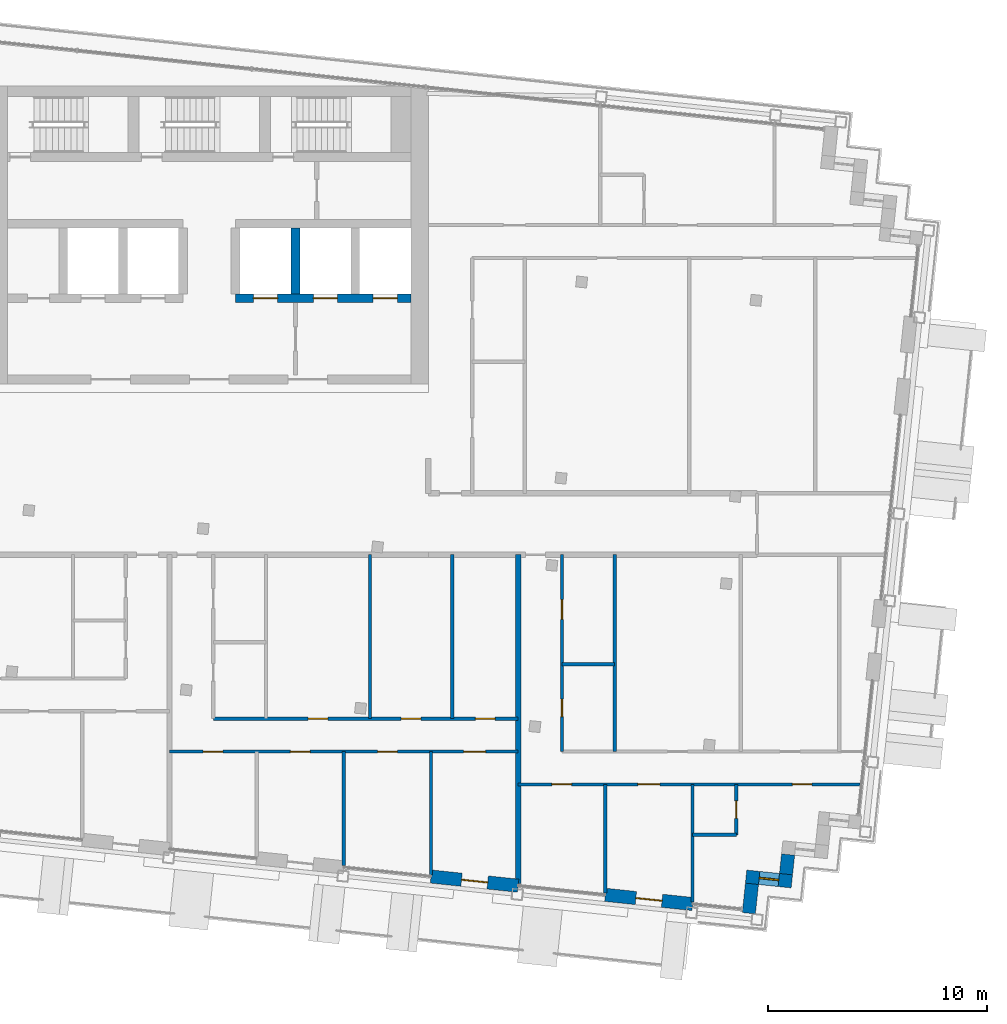
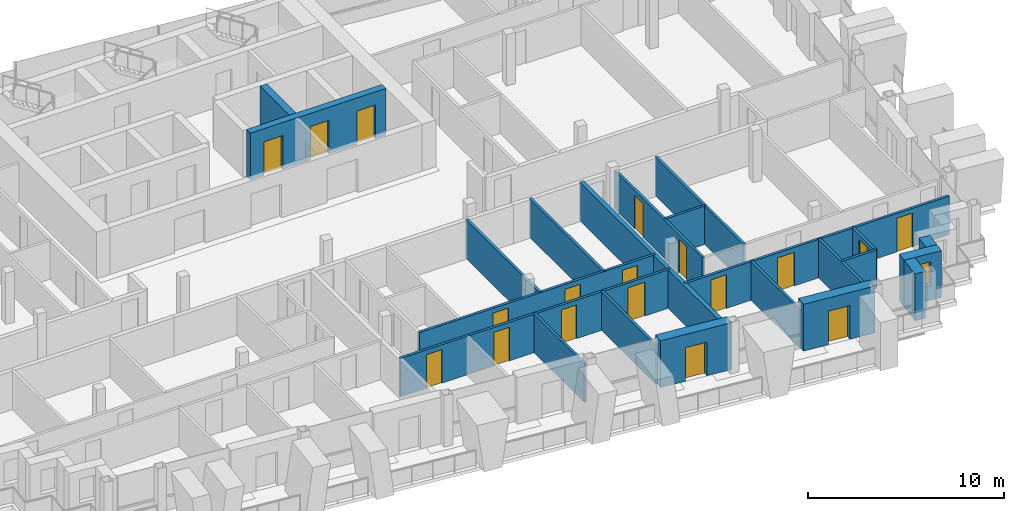
# One storey, part 10 of 17: 22 walls, 18 doors, 1 window, 19 openings.
"""IFC4 building model written with IfcOpenShell, lengths in metres."""

import ifcopenshell
import ifcopenshell.guid

model = None  # the IFC model being written
_history = None  # IfcOwnerHistory: only IFC2X3 demands one
_inside = {}  # id of a spatial element -> (the spatial element, [elements in it])
_under = {}  # id of a project, library or spatial element -> (it, [spatial elements below it])
_declared = {}  # id of a project -> (the project, [libraries it declares])
_typed = {}  # id of a type object -> (the type object, [elements of that type])
_made_of = {}  # id of a material, layer set ... -> (it, [elements and type objects made of it])


def new_model(schema):
    """Start an empty IFC model of exactly this schema.

    Asked for "IFC4X3", IfcOpenShell would pick the latest addendum, in which some entities
    have other attributes; the version numbers below select the first issue.
    IFC2X3 requires an IfcOwnerHistory on every rooted entity: one is made here for all.
    """
    global model, _history
    if schema == "IFC4X3":
        model = ifcopenshell.file(schema_version=(4, 3, 0, 0))
    else:
        model = ifcopenshell.file(schema=schema)
    _inside.clear()
    _under.clear()
    _declared.clear()
    _typed.clear()
    _made_of.clear()
    _history = None
    if model.schema == "IFC2X3":
        org = make("IfcOrganization", Name="unknown")
        user = make(
            "IfcPersonAndOrganization",
            ThePerson=make("IfcPerson", FamilyName="unknown"),
            TheOrganization=org,
        )
        app = make(
            "IfcApplication",
            ApplicationDeveloper=org,
            Version="unknown",
            ApplicationFullName="unknown",
            ApplicationIdentifier="unknown",
        )
        _history = make(
            "IfcOwnerHistory",
            OwningUser=user,
            OwningApplication=app,
            ChangeAction="ADDED",
            CreationDate=0,
        )
    return model


def make(cls, **values):
    """One entity of the class cls with the attributes given. An attribute that is None is left unset."""
    return model.create_entity(
        cls, **{name: value for name, value in values.items() if value is not None}
    )


def rooted(cls, **values):
    """An entity with a GlobalId (a new one), such as an element, a storey or a relation."""
    return make(cls, GlobalId=ifcopenshell.guid.new(), OwnerHistory=_history, **values)


def si_unit(unit_type, name, prefix=None):
    """IfcSIUnit, for example si_unit("LENGTHUNIT", "METRE", prefix="MILLI")."""
    return make("IfcSIUnit", UnitType=unit_type, Prefix=prefix, Name=name)


def assignment(units):
    """IfcUnitAssignment: the units of a project."""
    return None if units is None else make("IfcUnitAssignment", Units=units)


def point(xyz):
    """IfcCartesianPoint."""
    return None if xyz is None else make("IfcCartesianPoint", Coordinates=xyz)


def direction(xyz):
    """IfcDirection."""
    return None if xyz is None else make("IfcDirection", DirectionRatios=xyz)


def frame(location, z_axis=None, x_axis=None):
    """IfcAxis2Placement3D, a coordinate frame: its origin and axes. An axis left out is left unset."""
    return make(
        "IfcAxis2Placement3D",
        Location=point(location),
        Axis=direction(z_axis),
        RefDirection=direction(x_axis),
    )


def frame_2d(location, x_axis=None):
    """IfcAxis2Placement2D, a coordinate frame in the plane: its origin and x axis."""
    return make(
        "IfcAxis2Placement2D", Location=point(location), RefDirection=direction(x_axis)
    )


def origin():
    """The frame at (0, 0, 0) with its axes left unset."""
    return frame((0.0, 0.0, 0.0))


def place(relative_to, where):
    """IfcLocalPlacement: puts the frame where relative to a parent placement (None: the world)."""
    return make(
        "IfcLocalPlacement", PlacementRelTo=relative_to, RelativePlacement=where
    )


def context(
    kind, dimensions, precision=None, world=None, true_north=None, identifier=None
):
    """IfcGeometricRepresentationContext, for example the 3D "Model" context."""
    return make(
        "IfcGeometricRepresentationContext",
        ContextIdentifier=identifier,
        ContextType=kind,
        CoordinateSpaceDimension=dimensions,
        Precision=precision,
        WorldCoordinateSystem=world,
        TrueNorth=true_north,
    )


def subcontext(parent, identifier, kind, view, scale=None):
    """IfcGeometricRepresentationSubContext, for example "Body" below "Model"."""
    return make(
        "IfcGeometricRepresentationSubContext",
        ContextIdentifier=identifier,
        ContextType=kind,
        ParentContext=parent,
        TargetScale=scale,
        TargetView=view,
    )


def project(units=None, contexts=None):
    """IfcProject with its units and contexts."""
    return rooted(
        "IfcProject",
        Name="project",
        RepresentationContexts=contexts,
        UnitsInContext=assignment(units),
    )


def spatial(cls, under=None, at=None, **own):
    """A site, building, storey or space (cls), placed at a placement, below another one or the project."""
    s = rooted(cls, ObjectPlacement=at, **own)
    if under is not None:
        _under.setdefault(under.id(), (under, []))[1].append(s)
    return s


def profile(cls, at=None, kind="AREA", **sizes):
    """A parametric profile (cls). Its sizes go by their IFC names, for example OverallWidth=200.0."""
    return make(cls, ProfileType=kind, Position=at, **sizes)


def rectangle(**sizes):
    """IfcRectangleProfileDef."""
    return profile("IfcRectangleProfileDef", **sizes)


def extrude(swept, where, along, depth):
    """IfcExtrudedAreaSolid: the profile swept, set in the frame where, extruded along a direction by depth."""
    return make(
        "IfcExtrudedAreaSolid",
        SweptArea=swept,
        Position=where,
        ExtrudedDirection=direction(along),
        Depth=depth,
    )


def shape(context_of_items, identifier, shape_type, items):
    """IfcShapeRepresentation: the items that make up one representation, for example the "Body"."""
    return make(
        "IfcShapeRepresentation",
        ContextOfItems=context_of_items,
        RepresentationIdentifier=identifier,
        RepresentationType=shape_type,
        Items=items,
    )


def material(Name=None, Category=None):
    """IfcMaterial."""
    return make("IfcMaterial", Name=Name, Category=Category)


def layer(
    of_material, thickness, ventilated=None, Name=None, Category=None, Priority=None
):
    """IfcMaterialLayer: one layer of a wall or slab, of a material (None: an air gap)."""
    return make(
        "IfcMaterialLayer",
        Material=of_material,
        LayerThickness=thickness,
        IsVentilated=ventilated,
        Name=Name,
        Category=Category,
        Priority=Priority,
    )


def layer_set(layers, Name=None):
    """IfcMaterialLayerSet."""
    return make("IfcMaterialLayerSet", MaterialLayers=layers, LayerSetName=Name)


def made_of(thing, what):
    """Note that an element or type object is made of a material, layer set ...; save() writes the relation."""
    if what is not None:
        _made_of.setdefault(what.id(), (what, []))[1].append(thing)
    return thing


def type_object(cls, material=None, **own):
    """A type object (cls), such as IfcWallType, which elements share."""
    return made_of(rooted(cls, **own), material)


def element(
    cls,
    number,
    at=None,
    inside=None,
    cuts=None,
    type_object=None,
    material=None,
    context=None,
    identifier="Body",
    shape_type=None,
    held_by="IfcProductDefinitionShape",
    body=None,
    shapes=None,
    **own,
):
    """One element of the class cls, such as IfcWall. Its Tag is "e" and its number.

    at: its placement. inside: the storey or other place that contains it. cuts: it is an
    opening in that element (IfcRelVoidsElement). A single representation is given by context,
    identifier, shape_type and body (its items); several are given by shapes. held_by: the class
    of the entity that holds the representations. save() writes the other relations.
    """
    e = rooted(cls, Tag="e%d" % number, ObjectPlacement=at, **own)
    if body is not None:
        shapes = [shape(context, identifier, shape_type, body)]
    if shapes is not None:
        e.Representation = make(held_by, Representations=shapes)
    if inside is not None:
        _inside.setdefault(inside.id(), (inside, []))[1].append(e)
    if cuts is not None:
        rooted(
            "IfcRelVoidsElement", RelatingBuildingElement=cuts, RelatedOpeningElement=e
        )
    if type_object is not None:
        _typed.setdefault(type_object.id(), (type_object, []))[1].append(e)
    return made_of(e, material)


def fill(opening, filler):
    """IfcRelFillsElement: the door or window that sits in an opening."""
    return rooted(
        "IfcRelFillsElement",
        RelatingOpeningElement=opening,
        RelatedBuildingElement=filler,
    )


def aggregate(whole, parts):
    """IfcRelAggregates: a whole, such as a stair, and the parts it consists of."""
    return rooted("IfcRelAggregates", RelatingObject=whole, RelatedObjects=parts)


def save(model, path):
    """Write the relations noted so far, then the file.

    IfcRelAggregates (storeys below a building ...), IfcRelContainedInSpatialStructure (elements
    in a storey), IfcRelDefinesByType, IfcRelAssociatesMaterial and IfcRelDeclares: one each for
    every whole, place, type object, material and project.
    """
    for whole, parts in _under.values():
        aggregate(whole, parts)
    for where, things in _inside.values():
        rooted(
            "IfcRelContainedInSpatialStructure",
            RelatedElements=things,
            RelatingStructure=where,
        )
    for kind, things in _typed.values():
        rooted("IfcRelDefinesByType", RelatedObjects=things, RelatingType=kind)
    for what, things in _made_of.values():
        rooted("IfcRelAssociatesMaterial", RelatedObjects=things, RelatingMaterial=what)
    for by, libraries in _declared.values():
        rooted("IfcRelDeclares", RelatingContext=by, RelatedDefinitions=libraries)
    model.write(path)


model = new_model("IFC4")

# Units and contexts
model_context = context("Model", 3, precision=1e-05, world=origin(), true_north=direction((0.0, 1.0)))
body_context = subcontext(model_context, "Body", "Model", "MODEL_VIEW")
ifc_project = project(units=[si_unit("LENGTHUNIT", "METRE"), si_unit("AREAUNIT", "SQUARE_METRE"), si_unit("VOLUMEUNIT", "CUBIC_METRE"), si_unit("PLANEANGLEUNIT", "RADIAN"), si_unit("MASSUNIT", "GRAM", prefix="KILO")], contexts=[model_context])

# Site, building, storey
site_placement = place(None, origin())
site = spatial("IfcSite", under=ifc_project, at=site_placement, CompositionType="ELEMENT")
building_placement = place(site_placement, origin())
building = spatial("IfcBuilding", under=site, at=building_placement, Name="Vidyagriha Tower", CompositionType="ELEMENT")
storey_placement = place(building_placement, frame((0.0, 0.0, 269.10009765625)))
storey = spatial("IfcBuildingStorey", under=building, at=storey_placement, Name="L70", CompositionType="ELEMENT", Elevation=269.10009765625)

# Wall, opening, door
ifc_material_1 = material(Name="Precast concrete C40/50 with brick facing", Category="concrete")
ifc_layer_1 = layer(ifc_material_1, 0.60009765625)
ifc_layer_set_1 = layer_set([ifc_layer_1], Name="Precast concrete C40/50 with brick facing")
wall_type_1 = type_object("IfcWallType", Name="Brick-faced precast wall 600", PredefinedType="STANDARD", material=ifc_layer_set_1)
wall_1_placement = place(storey_placement, frame((10.1201171875, -16.085205078125, 0.0), z_axis=(0.0, 0.0, 1.0), x_axis=(0.994519156568, -0.104554517933, 0.0)))
wall_1 = element("IfcWall", 1, at=wall_1_placement, inside=storey, type_object=wall_type_1, Name="Brick door bay wall L70 R21.9", PredefinedType="STANDARD", context=body_context, shape_type="SweptSolid", body=[
    extrude(rectangle(XDim=4.0, YDim=0.60009765625, at=frame_2d((2.0, 0.0))), origin(), (0.0, 0.0, 1.0), 2.919921875),
])
opening_1_placement = place(wall_1_placement, frame((1.39990234375, 0.0, 0.0)))
opening_1 = element("IfcOpeningElement", 2, at=opening_1_placement, cuts=wall_1, Name="Opening D70-63", PredefinedType="OPENING", context=body_context, shape_type="SweptSolid", body=[
    extrude(rectangle(XDim=1.199951171875, YDim=2.10009765625, at=frame_2d((0.60009765625, 1.050048828125))), frame((0.0, 0.31005859375, 0.0), z_axis=(0.0, -1.0, 0.0), x_axis=(1.0, 0.0, 0.0)), (0.0, 0.0, 1.0), 0.6201171875),
])
ifc_material_2 = material(Name="Aluminium framed glazed sliding door", Category="aluminium")
door_type_1 = type_object("IfcDoorType", Name="Balcony sliding door 1200x2100", OperationType="NOTDEFINED", PredefinedType="DOOR", material=ifc_material_2)
door_1_placement = place(opening_1_placement, origin())
door_1 = element("IfcDoor", 3, at=door_1_placement, inside=storey, type_object=door_type_1, Name="Door D70-63", OperationType="SLIDING_TO_LEFT", OverallHeight=2.10009765625, OverallWidth=1.199951171875, PredefinedType="DOOR", context=body_context, shape_type="SweptSolid", body=[
    extrude(rectangle(XDim=1.199951171875, YDim=2.10009765625, at=frame_2d((0.60009765625, 1.050048828125))), frame((0.0, 0.02490234375, 0.0), z_axis=(0.0, -1.0, 0.0), x_axis=(1.0, 0.0, 0.0)), (0.0, 0.0, 1.0), 0.050048828125),
])
fill(opening_1, door_1)

wall_2_placement = place(storey_placement, frame((18.076171875, -16.92138671875, 0.0), z_axis=(0.0, 0.0, 1.0), x_axis=(0.994519156568, -0.104554517933, 0.0)))
wall_2 = element("IfcWall", 4, at=wall_2_placement, inside=storey, type_object=wall_type_1, Name="Brick door bay wall L70 R21.11", PredefinedType="STANDARD", context=body_context, shape_type="SweptSolid", body=[
    extrude(rectangle(XDim=4.0, YDim=0.60009765625, at=frame_2d((2.0, 0.0))), origin(), (0.0, 0.0, 1.0), 2.919921875),
])
opening_2_placement = place(wall_2_placement, frame((1.39990234375, 0.0, 0.0)))
opening_2 = element("IfcOpeningElement", 5, at=opening_2_placement, cuts=wall_2, Name="Opening D70-64", PredefinedType="OPENING", context=body_context, shape_type="SweptSolid", body=[
    extrude(rectangle(XDim=1.199951171875, YDim=2.10009765625, at=frame_2d((0.60009765625, 1.050048828125))), frame((0.0, 0.31005859375, 0.0), z_axis=(0.0, -1.0, 0.0), x_axis=(1.0, 0.0, 0.0)), (0.0, 0.0, 1.0), 0.6201171875),
])
door_2_placement = place(opening_2_placement, origin())
door_2 = element("IfcDoor", 6, at=door_2_placement, inside=storey, type_object=door_type_1, Name="Door D70-64", OperationType="SLIDING_TO_LEFT", OverallHeight=2.10009765625, OverallWidth=1.199951171875, PredefinedType="DOOR", context=body_context, shape_type="SweptSolid", body=[
    extrude(rectangle(XDim=1.199951171875, YDim=2.10009765625, at=frame_2d((0.60009765625, 1.050048828125))), frame((0.0, 0.02490234375, 0.0), z_axis=(0.0, -1.0, 0.0), x_axis=(1.0, 0.0, 0.0)), (0.0, 0.0, 1.0), 0.050048828125),
])
fill(opening_2, door_2)

# Wall
wall_3_placement = place(storey_placement, frame((24.62451171875, -17.760498046875, 0.0), z_axis=(0.0, 0.0, 1.0), x_axis=(0.104355269718, 0.994540083497, 0.0)))
element("IfcWall", 7, at=wall_3_placement, inside=storey, type_object=wall_type_1, Name="Stepped corner wall L70 R22", PredefinedType="STANDARD", context=body_context, shape_type="SweptSolid", body=[
    extrude(rectangle(XDim=1.349853515625, YDim=0.60009765625, at=frame_2d((0.6748046875, 0.0))), origin(), (0.0, 0.0, 1.0), 2.919921875),
])

# Wall, opening, window
wall_4_placement = place(storey_placement, frame((24.49853515625, -16.088134765625, 0.0), z_axis=(0.0, 0.0, 1.0), x_axis=(0.994522640205, -0.104521376379, 0.0)))
wall_4 = element("IfcWall", 8, at=wall_4_placement, inside=storey, type_object=wall_type_1, Name="Stepped corner wall L70 R23", PredefinedType="STANDARD", context=body_context, shape_type="SweptSolid", body=[
    extrude(rectangle(XDim=2.099853515625, YDim=0.60009765625, at=frame_2d((1.0498046875, 0.0))), origin(), (0.0, 0.0, 1.0), 2.919921875),
])
opening_3_placement = place(wall_4_placement, frame((0.60009765625, 0.0, 0.89990234375)))
opening_3 = element("IfcOpeningElement", 9, at=opening_3_placement, cuts=wall_4, Name="Opening WN1", PredefinedType="OPENING", context=body_context, shape_type="SweptSolid", body=[
    extrude(rectangle(XDim=0.89990234375, YDim=1.5, at=frame_2d((0.449951171875, 0.75))), frame((0.0, 0.31005859375, 0.0), z_axis=(0.0, -1.0, 0.0), x_axis=(1.0, 0.0, 0.0)), (0.0, 0.0, 1.0), 0.6201171875),
])
ifc_material_3 = material(Name="Aluminium and glass window", Category="aluminium")
window_type = type_object("IfcWindowType", Name="Reveal window 900x1500", PartitioningType="NOTDEFINED", PredefinedType="WINDOW", material=ifc_material_3)
window_placement = place(opening_3_placement, origin())
window = element("IfcWindow", 10, at=window_placement, inside=storey, type_object=window_type, Name="Reveal window L70 R23", OverallHeight=1.5, OverallWidth=0.89990234375, PartitioningType="SINGLE_PANEL", PredefinedType="WINDOW", context=body_context, shape_type="SweptSolid", body=[
    extrude(rectangle(XDim=0.89990234375, YDim=1.5, at=frame_2d((0.449951171875, 0.75))), frame((0.0, 0.030029296875, 0.0), z_axis=(0.0, -1.0, 0.0), x_axis=(1.0, 0.0, 0.0)), (0.0, 0.0, 1.0), 0.06005859375),
])
fill(opening_3, window)

# Wall
wall_5_placement = place(storey_placement, frame((26.320068359375, -15.97802734375, 0.0), z_axis=(0.0, 0.0, 1.0), x_axis=(0.104444712852, 0.994530694326, 0.0)))
element("IfcWall", 11, at=wall_5_placement, inside=storey, type_object=wall_type_1, Name="Stepped corner wall L70 R24", PredefinedType="STANDARD", context=body_context, shape_type="SweptSolid", body=[
    extrude(rectangle(XDim=0.89990234375, YDim=0.60009765625, at=frame_2d((0.449951171875, 0.0))), origin(), (0.0, 0.0, 1.0), 2.919921875),
])

# Wall, openings, doors
ifc_material_4 = material(Name="Concrete C60/75", Category="concrete")
ifc_layer_2 = layer(ifc_material_4, 0.39990234375)
ifc_layer_set_2 = layer_set([ifc_layer_2], Name="Concrete C60/75")
wall_type_2 = type_object("IfcWallType", Name="Core shear wall 400 mm", PredefinedType="SHEAR", material=ifc_layer_set_2)
wall_6_placement = place(storey_placement, frame((1.199951171875, 10.300048828125, 0.0)))
wall_6 = element("IfcWall", 12, at=wall_6_placement, inside=storey, type_object=wall_type_2, Name="Core row N front wall", PredefinedType="SHEAR", context=body_context, shape_type="SweptSolid", body=[
    extrude(rectangle(XDim=8.0, YDim=0.39990234375, at=frame_2d((4.0, 0.0))), origin(), (0.0, 0.0, 1.0), 2.919921875),
])
opening_4_placement = place(wall_6_placement, frame((0.816650390625, 0.0, 0.0)))
opening_4 = element("IfcOpeningElement", 13, at=opening_4_placement, cuts=wall_6, Name="Opening LD70-03", PredefinedType="OPENING", context=body_context, shape_type="SweptSolid", body=[
    extrude(rectangle(XDim=1.10009765625, YDim=2.10009765625, at=frame_2d((0.550048828125, 1.050048828125))), frame((0.0, 0.2099609375, 0.0), z_axis=(0.0, -1.0, 0.0), x_axis=(1.0, 0.0, 0.0)), (0.0, 0.0, 1.0), 0.419921875),
])
opening_5_placement = place(wall_6_placement, frame((3.550048828125, 0.0, 0.0)))
opening_5 = element("IfcOpeningElement", 14, at=opening_5_placement, cuts=wall_6, Name="Opening LD70-04", PredefinedType="OPENING", context=body_context, shape_type="SweptSolid", body=[
    extrude(rectangle(XDim=1.10009765625, YDim=2.10009765625, at=frame_2d((0.550048828125, 1.050048828125))), frame((0.0, 0.2099609375, 0.0), z_axis=(0.0, -1.0, 0.0), x_axis=(1.0, 0.0, 0.0)), (0.0, 0.0, 1.0), 0.419921875),
])
opening_6_placement = place(wall_6_placement, frame((6.283203125, 0.0, 0.0)))
opening_6 = element("IfcOpeningElement", 15, at=opening_6_placement, cuts=wall_6, Name="Opening LD70-05", PredefinedType="OPENING", context=body_context, shape_type="SweptSolid", body=[
    extrude(rectangle(XDim=1.10009765625, YDim=2.10009765625, at=frame_2d((0.550048828125, 1.050048828125))), frame((0.0, 0.2099609375, 0.0), z_axis=(0.0, -1.0, 0.0), x_axis=(1.0, 0.0, 0.0)), (0.0, 0.0, 1.0), 0.419921875),
])
ifc_material_5 = material(Name="Stainless steel sliding door panel", Category="steel")
door_type_2 = type_object("IfcDoorType", Name="Lift landing door 1100 x 2100 mm EI 90", OperationType="NOTDEFINED", PredefinedType="DOOR", material=ifc_material_5)
door_3_placement = place(opening_4_placement, origin())
door_3 = element("IfcDoor", 16, at=door_3_placement, inside=storey, type_object=door_type_2, Name="Landing door HR3 L70", OperationType="SLIDING_TO_LEFT", OverallHeight=2.10009765625, OverallWidth=1.10009765625, PredefinedType="DOOR", context=body_context, shape_type="SweptSolid", body=[
    extrude(rectangle(XDim=1.10009765625, YDim=2.10009765625, at=frame_2d((0.550048828125, 1.050048828125))), frame((0.0, 0.02490234375, 0.0), z_axis=(0.0, -1.0, 0.0), x_axis=(1.0, 0.0, 0.0)), (0.0, 0.0, 1.0), 0.050048828125),
])
fill(opening_4, door_3)
door_4_placement = place(opening_5_placement, origin())
door_4 = element("IfcDoor", 17, at=door_4_placement, inside=storey, type_object=door_type_2, Name="Landing door FF1 L70", OperationType="SLIDING_TO_LEFT", OverallHeight=2.10009765625, OverallWidth=1.10009765625, PredefinedType="DOOR", context=body_context, shape_type="SweptSolid", body=[
    extrude(rectangle(XDim=1.10009765625, YDim=2.10009765625, at=frame_2d((0.550048828125, 1.050048828125))), frame((0.0, 0.02490234375, 0.0), z_axis=(0.0, -1.0, 0.0), x_axis=(1.0, 0.0, 0.0)), (0.0, 0.0, 1.0), 0.050048828125),
])
fill(opening_5, door_4)
door_5_placement = place(opening_6_placement, origin())
door_5 = element("IfcDoor", 18, at=door_5_placement, inside=storey, type_object=door_type_2, Name="Landing door FF2 L70", OperationType="SLIDING_TO_LEFT", OverallHeight=2.10009765625, OverallWidth=1.10009765625, PredefinedType="DOOR", context=body_context, shape_type="SweptSolid", body=[
    extrude(rectangle(XDim=1.10009765625, YDim=2.10009765625, at=frame_2d((0.550048828125, 1.050048828125))), frame((0.0, 0.02490234375, 0.0), z_axis=(0.0, -1.0, 0.0), x_axis=(1.0, 0.0, 0.0)), (0.0, 0.0, 1.0), 0.050048828125),
])
fill(opening_6, door_5)

# Walls
wall_7_placement = place(storey_placement, frame((3.933349609375, 10.5, 0.0), z_axis=(0.0, 0.0, 1.0), x_axis=(0.0, 1.0, 0.0)))
element("IfcWall", 19, at=wall_7_placement, inside=storey, type_object=wall_type_2, Name="Core bay wall N5", PredefinedType="SHEAR", context=body_context, shape_type="SweptSolid", body=[
    extrude(rectangle(XDim=3.0, YDim=0.39990234375, at=frame_2d((1.5, 0.0))), origin(), (0.0, 0.0, 1.0), 2.919921875),
])
ifc_material_6 = material(Name="Fired clay brick masonry", Category="masonry")
ifc_layer_3 = layer(ifc_material_6, 0.25)
ifc_layer_set_3 = layer_set([ifc_layer_3], Name="Fired clay brick masonry")
wall_type_3 = type_object("IfcWallType", Name="Fired clay brick demising wall 250", PredefinedType="PARTITIONING", material=ifc_layer_set_3)
wall_8_placement = place(storey_placement, frame((14.097900390625, -1.39990234375, 0.0), z_axis=(0.0, 0.0, 1.0), x_axis=(0.0, -1.0, 0.0)))
element("IfcWall", 20, at=wall_8_placement, inside=storey, type_object=wall_type_3, Name="Wall all-L70-w063", PredefinedType="PARTITIONING", context=body_context, shape_type="SweptSolid", body=[
    extrude(rectangle(XDim=15.012939453125, YDim=0.25, at=frame_2d((7.50634765625, 0.0))), origin(), (0.0, 0.0, 1.0), 2.39990234375),
])
ifc_material_7 = material(Name="Gypsum board partition")
ifc_layer_4 = layer(ifc_material_7, 0.14990234375)
ifc_layer_set_4 = layer_set([ifc_layer_4], Name="Gypsum board partition")
wall_type_4 = type_object("IfcWallType", Name="Gypsum board partition 150", PredefinedType="PARTITIONING", material=ifc_layer_set_4)
for number, where, z_axis, x_axis, name in (
    (21, (7.3359375, -1.39990234375, 0.0), (0.0, 0.0, 1.0), (0.0, -1.0, 0.0), "Wall all-L70-w026"),
    (22, (11.0859375, -1.39990234375, 0.0), (0.0, 0.0, 1.0), (0.0, -1.0, 0.0), "Wall all-L70-w027"),
):
    element("IfcWall", number, at=place(storey_placement, frame(where, z_axis=z_axis, x_axis=x_axis)), inside=storey, type_object=wall_type_4, Name=name, PredefinedType="PARTITIONING", context=body_context, shape_type="SweptSolid", body=[
        extrude(rectangle(XDim=7.483642578125, YDim=0.14990234375, at=frame_2d((3.74169921875, 0.0))), origin(), (0.0, 0.0, 1.0), 2.39990234375),
    ])

# Wall, openings, doors
wall_9_placement = place(storey_placement, frame((0.18603515625, -8.883544921875, 0.0)))
wall_9 = element("IfcWall", 23, at=wall_9_placement, inside=storey, type_object=wall_type_4, Name="Wall all-L70-w028", PredefinedType="PARTITIONING", context=body_context, shape_type="SweptSolid", body=[
    extrude(rectangle(XDim=13.911865234375, YDim=0.14990234375, at=frame_2d((6.9560546875, 0.0))), origin(), (0.0, 0.0, 1.0), 2.39990234375),
])
opening_7_placement = place(wall_9_placement, frame((4.324951171875, 0.0, 0.0)))
opening_7 = element("IfcOpeningElement", 24, at=opening_7_placement, cuts=wall_9, Name="Opening D70-22", PredefinedType="OPENING", context=body_context, shape_type="SweptSolid", body=[
    extrude(rectangle(XDim=0.89990234375, YDim=2.10009765625, at=frame_2d((0.449951171875, 1.050048828125))), frame((0.0, 0.0849609375, 0.0), z_axis=(0.0, -1.0, 0.0), x_axis=(1.0, 0.0, 0.0)), (0.0, 0.0, 1.0), 0.169921875),
])
opening_8_placement = place(wall_9_placement, frame((8.574951171875, 0.0, 0.0)))
opening_8 = element("IfcOpeningElement", 25, at=opening_8_placement, cuts=wall_9, Name="Opening D70-23", PredefinedType="OPENING", context=body_context, shape_type="SweptSolid", body=[
    extrude(rectangle(XDim=0.89990234375, YDim=2.10009765625, at=frame_2d((0.449951171875, 1.050048828125))), frame((0.0, 0.0849609375, 0.0), z_axis=(0.0, -1.0, 0.0), x_axis=(1.0, 0.0, 0.0)), (0.0, 0.0, 1.0), 0.169921875),
])
opening_9_placement = place(wall_9_placement, frame((11.9560546875, 0.0, 0.0)))
opening_9 = element("IfcOpeningElement", 26, at=opening_9_placement, cuts=wall_9, Name="Opening D70-24", PredefinedType="OPENING", context=body_context, shape_type="SweptSolid", body=[
    extrude(rectangle(XDim=0.89990234375, YDim=2.10009765625, at=frame_2d((0.449951171875, 1.050048828125))), frame((0.0, 0.0849609375, 0.0), z_axis=(0.0, -1.0, 0.0), x_axis=(1.0, 0.0, 0.0)), (0.0, 0.0, 1.0), 0.169921875),
])
ifc_material_8 = material(Name="Timber door leaf", Category="wood")
door_type_3 = type_object("IfcDoorType", Name="Room door 900x2100", OperationType="NOTDEFINED", PredefinedType="DOOR", material=ifc_material_8)
door_6_placement = place(opening_7_placement, origin())
door_6 = element("IfcDoor", 27, at=door_6_placement, inside=storey, type_object=door_type_3, Name="Door D70-22", OperationType="SINGLE_SWING_RIGHT", OverallHeight=2.10009765625, OverallWidth=0.89990234375, PredefinedType="DOOR", context=body_context, shape_type="SweptSolid", body=[
    extrude(rectangle(XDim=0.89990234375, YDim=2.10009765625, at=frame_2d((0.449951171875, 1.050048828125))), frame((0.0, 0.02490234375, 0.0), z_axis=(0.0, -1.0, 0.0), x_axis=(1.0, 0.0, 0.0)), (0.0, 0.0, 1.0), 0.050048828125),
])
fill(opening_7, door_6)
door_7_placement = place(opening_8_placement, origin())
door_7 = element("IfcDoor", 28, at=door_7_placement, inside=storey, type_object=door_type_3, Name="Door D70-23", OperationType="SINGLE_SWING_RIGHT", OverallHeight=2.10009765625, OverallWidth=0.89990234375, PredefinedType="DOOR", context=body_context, shape_type="SweptSolid", body=[
    extrude(rectangle(XDim=0.89990234375, YDim=2.10009765625, at=frame_2d((0.449951171875, 1.050048828125))), frame((0.0, 0.02490234375, 0.0), z_axis=(0.0, -1.0, 0.0), x_axis=(1.0, 0.0, 0.0)), (0.0, 0.0, 1.0), 0.050048828125),
])
fill(opening_8, door_7)
door_8_placement = place(opening_9_placement, origin())
door_8 = element("IfcDoor", 29, at=door_8_placement, inside=storey, type_object=door_type_3, Name="Door D70-24", OperationType="SINGLE_SWING_RIGHT", OverallHeight=2.10009765625, OverallWidth=0.89990234375, PredefinedType="DOOR", context=body_context, shape_type="SweptSolid", body=[
    extrude(rectangle(XDim=0.89990234375, YDim=2.10009765625, at=frame_2d((0.449951171875, 1.050048828125))), frame((0.0, 0.02490234375, 0.0), z_axis=(0.0, -1.0, 0.0), x_axis=(1.0, 0.0, 0.0)), (0.0, 0.0, 1.0), 0.050048828125),
])
fill(opening_9, door_8)

wall_10_placement = place(storey_placement, frame((14.097900390625, -10.383544921875, 0.0), z_axis=(0.0, 0.0, 1.0), x_axis=(-1.0, 0.0, 0.0)))
wall_10 = element("IfcWall", 30, at=wall_10_placement, inside=storey, type_object=wall_type_4, Name="Wall all-L70-w032", PredefinedType="PARTITIONING", context=body_context, shape_type="SweptSolid", body=[
    extrude(rectangle(XDim=15.911865234375, YDim=0.14990234375, at=frame_2d((7.9560546875, 0.0))), origin(), (0.0, 0.0, 1.0), 2.39990234375),
])
opening_10_placement = place(wall_10_placement, frame((13.47314453125, 0.0, 0.0)))
opening_10 = element("IfcOpeningElement", 31, at=opening_10_placement, cuts=wall_10, Name="Opening D70-25", PredefinedType="OPENING", context=body_context, shape_type="SweptSolid", body=[
    extrude(rectangle(XDim=0.89990234375, YDim=2.10009765625, at=frame_2d((0.449951171875, 1.050048828125))), frame((0.0, 0.0849609375, 0.0), z_axis=(0.0, -1.0, 0.0), x_axis=(1.0, 0.0, 0.0)), (0.0, 0.0, 1.0), 0.169921875),
])
opening_11_placement = place(wall_10_placement, frame((9.4951171875, 0.0, 0.0)))
opening_11 = element("IfcOpeningElement", 32, at=opening_11_placement, cuts=wall_10, Name="Opening D70-26", PredefinedType="OPENING", context=body_context, shape_type="SweptSolid", body=[
    extrude(rectangle(XDim=0.89990234375, YDim=2.10009765625, at=frame_2d((0.449951171875, 1.050048828125))), frame((0.0, 0.0849609375, 0.0), z_axis=(0.0, -1.0, 0.0), x_axis=(1.0, 0.0, 0.0)), (0.0, 0.0, 1.0), 0.169921875),
])
opening_12_placement = place(wall_10_placement, frame((5.51708984375, 0.0, 0.0)))
opening_12 = element("IfcOpeningElement", 33, at=opening_12_placement, cuts=wall_10, Name="Opening D70-27", PredefinedType="OPENING", context=body_context, shape_type="SweptSolid", body=[
    extrude(rectangle(XDim=0.89990234375, YDim=2.10009765625, at=frame_2d((0.449951171875, 1.050048828125))), frame((0.0, 0.0849609375, 0.0), z_axis=(0.0, -1.0, 0.0), x_axis=(1.0, 0.0, 0.0)), (0.0, 0.0, 1.0), 0.169921875),
])
opening_13_placement = place(wall_10_placement, frame((1.489013671875, 0.0, 0.0)))
opening_13 = element("IfcOpeningElement", 34, at=opening_13_placement, cuts=wall_10, Name="Opening D70-28", PredefinedType="OPENING", context=body_context, shape_type="SweptSolid", body=[
    extrude(rectangle(XDim=1.0, YDim=2.10009765625, at=frame_2d((0.5, 1.050048828125))), frame((0.0, 0.0849609375, 0.0), z_axis=(0.0, -1.0, 0.0), x_axis=(1.0, 0.0, 0.0)), (0.0, 0.0, 1.0), 0.169921875),
])
ifc_material_9 = material(Name="Timber door leaf", Category="wood")
door_type_4 = type_object("IfcDoorType", Name="Room door 1000x2100", OperationType="NOTDEFINED", PredefinedType="DOOR", material=ifc_material_9)
door_9_placement = place(opening_13_placement, origin())
door_9 = element("IfcDoor", 35, at=door_9_placement, inside=storey, type_object=door_type_4, Name="Door D70-28", OperationType="SINGLE_SWING_RIGHT", OverallHeight=2.10009765625, OverallWidth=1.0, PredefinedType="DOOR", context=body_context, shape_type="SweptSolid", body=[
    extrude(rectangle(XDim=1.0, YDim=2.10009765625, at=frame_2d((0.5, 1.050048828125))), frame((0.0, 0.02490234375, 0.0), z_axis=(0.0, -1.0, 0.0), x_axis=(1.0, 0.0, 0.0)), (0.0, 0.0, 1.0), 0.050048828125),
])
fill(opening_13, door_9)
door_10_placement = place(opening_10_placement, origin())
door_10 = element("IfcDoor", 36, at=door_10_placement, inside=storey, type_object=door_type_3, Name="Door D70-25", OperationType="SINGLE_SWING_RIGHT", OverallHeight=2.10009765625, OverallWidth=0.89990234375, PredefinedType="DOOR", context=body_context, shape_type="SweptSolid", body=[
    extrude(rectangle(XDim=0.89990234375, YDim=2.10009765625, at=frame_2d((0.449951171875, 1.050048828125))), frame((0.0, 0.02490234375, 0.0), z_axis=(0.0, -1.0, 0.0), x_axis=(1.0, 0.0, 0.0)), (0.0, 0.0, 1.0), 0.050048828125),
])
fill(opening_10, door_10)
door_11_placement = place(opening_11_placement, origin())
door_11 = element("IfcDoor", 37, at=door_11_placement, inside=storey, type_object=door_type_3, Name="Door D70-26", OperationType="SINGLE_SWING_LEFT", OverallHeight=2.10009765625, OverallWidth=0.89990234375, PredefinedType="DOOR", context=body_context, shape_type="SweptSolid", body=[
    extrude(rectangle(XDim=0.89990234375, YDim=2.10009765625, at=frame_2d((0.449951171875, 1.050048828125))), frame((0.0, 0.02490234375, 0.0), z_axis=(0.0, -1.0, 0.0), x_axis=(1.0, 0.0, 0.0)), (0.0, 0.0, 1.0), 0.050048828125),
])
fill(opening_11, door_11)
door_12_placement = place(opening_12_placement, origin())
door_12 = element("IfcDoor", 38, at=door_12_placement, inside=storey, type_object=door_type_3, Name="Door D70-27", OperationType="SINGLE_SWING_LEFT", OverallHeight=2.10009765625, OverallWidth=0.89990234375, PredefinedType="DOOR", context=body_context, shape_type="SweptSolid", body=[
    extrude(rectangle(XDim=0.89990234375, YDim=2.10009765625, at=frame_2d((0.449951171875, 1.050048828125))), frame((0.0, 0.02490234375, 0.0), z_axis=(0.0, -1.0, 0.0), x_axis=(1.0, 0.0, 0.0)), (0.0, 0.0, 1.0), 0.050048828125),
])
fill(opening_12, door_12)

# Walls
wall_11_placement = place(storey_placement, frame((6.141845703125, -10.383544921875, 0.0), z_axis=(0.0, 0.0, 1.0), x_axis=(0.0, -1.0, 0.0)))
element("IfcWall", 39, at=wall_11_placement, inside=storey, type_object=wall_type_4, Name="Wall all-L70-w038", PredefinedType="PARTITIONING", context=body_context, shape_type="SweptSolid", body=[
    extrude(rectangle(XDim=5.193115234375, YDim=0.14990234375, at=frame_2d((2.5966796875, 0.0))), origin(), (0.0, 0.0, 1.0), 2.39990234375),
])
wall_12_placement = place(storey_placement, frame((10.1201171875, -10.383544921875, 0.0), z_axis=(0.0, 0.0, 1.0), x_axis=(0.0, -1.0, 0.0)))
element("IfcWall", 40, at=wall_12_placement, inside=storey, type_object=wall_type_4, Name="Wall all-L70-w039", PredefinedType="PARTITIONING", context=body_context, shape_type="SweptSolid", body=[
    extrude(rectangle(XDim=5.6220703125, YDim=0.14990234375, at=frame_2d((2.81103515625, 0.0))), origin(), (0.0, 0.0, 1.0), 2.39990234375),
])
wall_13_placement = place(storey_placement, frame((18.498046875, -6.39990234375, 0.0), z_axis=(0.0, 0.0, 1.0), x_axis=(-1.0, 0.0, 0.0)))
element("IfcWall", 41, at=wall_13_placement, inside=storey, type_object=wall_type_4, Name="Wall all-L70-w045", PredefinedType="PARTITIONING", context=body_context, shape_type="SweptSolid", body=[
    extrude(rectangle(XDim=2.400146484375, YDim=0.14990234375, at=frame_2d((1.2001953125, 0.0))), origin(), (0.0, 0.0, 1.0), 2.39990234375),
])
wall_14_placement = place(storey_placement, frame((18.498046875, -1.39990234375, 0.0), z_axis=(0.0, 0.0, 1.0), x_axis=(0.0, -1.0, 0.0)))
element("IfcWall", 42, at=wall_14_placement, inside=storey, type_object=wall_type_4, Name="Wall all-L70-w046", PredefinedType="PARTITIONING", context=body_context, shape_type="SweptSolid", body=[
    extrude(rectangle(XDim=8.981689453125, YDim=0.14990234375, at=frame_2d((4.49072265625, 0.0))), origin(), (0.0, 0.0, 1.0), 2.39990234375),
])

# Wall, openings, doors
wall_15_placement = place(storey_placement, frame((29.6875, -11.881591796875, 0.0), z_axis=(0.0, 0.0, 1.0), x_axis=(-1.0, 0.0, 0.0)))
wall_15 = element("IfcWall", 43, at=wall_15_placement, inside=storey, type_object=wall_type_4, Name="Wall all-L70-w053", PredefinedType="PARTITIONING", context=body_context, shape_type="SweptSolid", body=[
    extrude(rectangle(XDim=15.589599609375, YDim=0.14990234375, at=frame_2d((7.794921875, 0.0))), origin(), (0.0, 0.0, 1.0), 2.39990234375),
])
opening_14_placement = place(wall_15_placement, frame((13.150390625, 0.0, 0.0)))
opening_14 = element("IfcOpeningElement", 44, at=opening_14_placement, cuts=wall_15, Name="Opening D70-35", PredefinedType="OPENING", context=body_context, shape_type="SweptSolid", body=[
    extrude(rectangle(XDim=0.89990234375, YDim=2.10009765625, at=frame_2d((0.449951171875, 1.050048828125))), frame((0.0, 0.0849609375, 0.0), z_axis=(0.0, -1.0, 0.0), x_axis=(1.0, 0.0, 0.0)), (0.0, 0.0, 1.0), 0.169921875),
])
opening_15_placement = place(wall_15_placement, frame((9.122314453125, 0.0, 0.0)))
opening_15 = element("IfcOpeningElement", 45, at=opening_15_placement, cuts=wall_15, Name="Opening D70-36", PredefinedType="OPENING", context=body_context, shape_type="SweptSolid", body=[
    extrude(rectangle(XDim=1.0, YDim=2.10009765625, at=frame_2d((0.5, 1.050048828125))), frame((0.0, 0.0849609375, 0.0), z_axis=(0.0, -1.0, 0.0), x_axis=(1.0, 0.0, 0.0)), (0.0, 0.0, 1.0), 0.169921875),
])
opening_16_placement = place(wall_15_placement, frame((2.181884765625, 0.0, 0.0)))
opening_16 = element("IfcOpeningElement", 46, at=opening_16_placement, cuts=wall_15, Name="Opening D70-37", PredefinedType="OPENING", context=body_context, shape_type="SweptSolid", body=[
    extrude(rectangle(XDim=0.89990234375, YDim=2.10009765625, at=frame_2d((0.449951171875, 1.050048828125))), frame((0.0, 0.0849609375, 0.0), z_axis=(0.0, -1.0, 0.0), x_axis=(1.0, 0.0, 0.0)), (0.0, 0.0, 1.0), 0.169921875),
])
door_13_placement = place(opening_15_placement, origin())
door_13 = element("IfcDoor", 47, at=door_13_placement, inside=storey, type_object=door_type_4, Name="Door D70-36", OperationType="SINGLE_SWING_RIGHT", OverallHeight=2.10009765625, OverallWidth=1.0, PredefinedType="DOOR", context=body_context, shape_type="SweptSolid", body=[
    extrude(rectangle(XDim=1.0, YDim=2.10009765625, at=frame_2d((0.5, 1.050048828125))), frame((0.0, 0.02490234375, 0.0), z_axis=(0.0, -1.0, 0.0), x_axis=(1.0, 0.0, 0.0)), (0.0, 0.0, 1.0), 0.050048828125),
])
fill(opening_15, door_13)
door_14_placement = place(opening_14_placement, origin())
door_14 = element("IfcDoor", 48, at=door_14_placement, inside=storey, type_object=door_type_3, Name="Door D70-35", OperationType="SINGLE_SWING_RIGHT", OverallHeight=2.10009765625, OverallWidth=0.89990234375, PredefinedType="DOOR", context=body_context, shape_type="SweptSolid", body=[
    extrude(rectangle(XDim=0.89990234375, YDim=2.10009765625, at=frame_2d((0.449951171875, 1.050048828125))), frame((0.0, 0.02490234375, 0.0), z_axis=(0.0, -1.0, 0.0), x_axis=(1.0, 0.0, 0.0)), (0.0, 0.0, 1.0), 0.050048828125),
])
fill(opening_14, door_14)
door_15_placement = place(opening_16_placement, origin())
door_15 = element("IfcDoor", 49, at=door_15_placement, inside=storey, type_object=door_type_3, Name="Door D70-37", OperationType="SINGLE_SWING_LEFT", OverallHeight=2.10009765625, OverallWidth=0.89990234375, PredefinedType="DOOR", context=body_context, shape_type="SweptSolid", body=[
    extrude(rectangle(XDim=0.89990234375, YDim=2.10009765625, at=frame_2d((0.449951171875, 1.050048828125))), frame((0.0, 0.02490234375, 0.0), z_axis=(0.0, -1.0, 0.0), x_axis=(1.0, 0.0, 0.0)), (0.0, 0.0, 1.0), 0.050048828125),
])
fill(opening_16, door_15)

# Walls
wall_16_placement = place(storey_placement, frame((18.076171875, -11.881591796875, 0.0), z_axis=(0.0, 0.0, 1.0), x_axis=(0.0, -1.0, 0.0)))
element("IfcWall", 50, at=wall_16_placement, inside=storey, type_object=wall_type_4, Name="Wall all-L70-w057", PredefinedType="PARTITIONING", context=body_context, shape_type="SweptSolid", body=[
    extrude(rectangle(XDim=4.96044921875, YDim=0.14990234375, at=frame_2d((2.480224609375, 0.0))), origin(), (0.0, 0.0, 1.0), 2.39990234375),
])
wall_17_placement = place(storey_placement, frame((22.05419921875, -11.881591796875, 0.0), z_axis=(0.0, 0.0, 1.0), x_axis=(0.0, -1.0, 0.0)))
element("IfcWall", 51, at=wall_17_placement, inside=storey, type_object=wall_type_4, Name="Wall all-L70-w058", PredefinedType="PARTITIONING", context=body_context, shape_type="SweptSolid", body=[
    extrude(rectangle(XDim=5.367431640625, YDim=0.14990234375, at=frame_2d((2.68359375, 0.0))), origin(), (0.0, 0.0, 1.0), 2.39990234375),
])

# Wall, opening, door
wall_18_placement = place(storey_placement, frame((24.05419921875, -11.881591796875, 0.0), z_axis=(0.0, 0.0, 1.0), x_axis=(0.0, -1.0, 0.0)))
wall_18 = element("IfcWall", 52, at=wall_18_placement, inside=storey, type_object=wall_type_4, Name="Wall all-L70-w059", PredefinedType="PARTITIONING", context=body_context, shape_type="SweptSolid", body=[
    extrude(rectangle(XDim=2.300048828125, YDim=0.14990234375, at=frame_2d((1.14990234375, 0.0))), origin(), (0.0, 0.0, 1.0), 2.39990234375),
])
opening_17_placement = place(wall_18_placement, frame((0.75, 0.0, 0.0)))
opening_17 = element("IfcOpeningElement", 53, at=opening_17_placement, cuts=wall_18, Name="Opening D70-38", PredefinedType="OPENING", context=body_context, shape_type="SweptSolid", body=[
    extrude(rectangle(XDim=0.800048828125, YDim=2.10009765625, at=frame_2d((0.39990234375, 1.050048828125))), frame((0.0, 0.0849609375, 0.0), z_axis=(0.0, -1.0, 0.0), x_axis=(1.0, 0.0, 0.0)), (0.0, 0.0, 1.0), 0.169921875),
])
ifc_material_10 = material(Name="Timber door leaf", Category="wood")
door_type_5 = type_object("IfcDoorType", Name="Bathroom door 800x2100", OperationType="NOTDEFINED", PredefinedType="DOOR", material=ifc_material_10)
door_16_placement = place(opening_17_placement, origin())
door_16 = element("IfcDoor", 54, at=door_16_placement, inside=storey, type_object=door_type_5, Name="Door D70-38", OperationType="SINGLE_SWING_LEFT", OverallHeight=2.10009765625, OverallWidth=0.800048828125, PredefinedType="DOOR", context=body_context, shape_type="SweptSolid", body=[
    extrude(rectangle(XDim=0.800048828125, YDim=2.10009765625, at=frame_2d((0.39990234375, 1.050048828125))), frame((0.0, 0.02490234375, 0.0), z_axis=(0.0, -1.0, 0.0), x_axis=(1.0, 0.0, 0.0)), (0.0, 0.0, 1.0), 0.050048828125),
])
fill(opening_17, door_16)

# Wall
wall_19_placement = place(storey_placement, frame((24.05419921875, -14.181640625, 0.0), z_axis=(0.0, 0.0, 1.0), x_axis=(-1.0, 0.0, 0.0)))
element("IfcWall", 55, at=wall_19_placement, inside=storey, type_object=wall_type_4, Name="Wall all-L70-w060", PredefinedType="PARTITIONING", context=body_context, shape_type="SweptSolid", body=[
    extrude(rectangle(XDim=2.0, YDim=0.14990234375, at=frame_2d((1.0, 0.0))), origin(), (0.0, 0.0, 1.0), 2.39990234375),
])

# Wall, openings, doors
ifc_material_11 = material(Name="Moisture resistant gypsum board partition")
ifc_layer_5 = layer(ifc_material_11, 0.14990234375)
ifc_layer_set_5 = layer_set([ifc_layer_5], Name="Moisture resistant gypsum board partition")
wall_type_5 = type_object("IfcWallType", Name="Gypsum board wet-area partition 150", PredefinedType="PARTITIONING", material=ifc_layer_set_5)
wall_20_placement = place(storey_placement, frame((16.097900390625, -1.39990234375, 0.0), z_axis=(0.0, 0.0, 1.0), x_axis=(0.0, -1.0, 0.0)))
wall_20 = element("IfcWall", 56, at=wall_20_placement, inside=storey, type_object=wall_type_5, Name="Wall all-L70-w042", PredefinedType="PARTITIONING", context=body_context, shape_type="SweptSolid", body=[
    extrude(rectangle(XDim=8.981689453125, YDim=0.14990234375, at=frame_2d((4.49072265625, 0.0))), origin(), (0.0, 0.0, 1.0), 2.39990234375),
])
opening_18_placement = place(wall_20_placement, frame((2.050048828125, 0.0, 0.0)))
opening_18 = element("IfcOpeningElement", 57, at=opening_18_placement, cuts=wall_20, Name="Opening D70-30", PredefinedType="OPENING", context=body_context, shape_type="SweptSolid", body=[
    extrude(rectangle(XDim=0.89990234375, YDim=2.10009765625, at=frame_2d((0.449951171875, 1.050048828125))), frame((0.0, 0.0849609375, 0.0), z_axis=(0.0, -1.0, 0.0), x_axis=(1.0, 0.0, 0.0)), (0.0, 0.0, 1.0), 0.169921875),
])
opening_19_placement = place(wall_20_placement, frame((6.5908203125, 0.0, 0.0)))
opening_19 = element("IfcOpeningElement", 58, at=opening_19_placement, cuts=wall_20, Name="Opening D70-31", PredefinedType="OPENING", context=body_context, shape_type="SweptSolid", body=[
    extrude(rectangle(XDim=0.800048828125, YDim=2.10009765625, at=frame_2d((0.39990234375, 1.050048828125))), frame((0.0, 0.0849609375, 0.0), z_axis=(0.0, -1.0, 0.0), x_axis=(1.0, 0.0, 0.0)), (0.0, 0.0, 1.0), 0.169921875),
])
door_17_placement = place(opening_19_placement, origin())
door_17 = element("IfcDoor", 59, at=door_17_placement, inside=storey, type_object=door_type_5, Name="Door D70-31", OperationType="SINGLE_SWING_RIGHT", OverallHeight=2.10009765625, OverallWidth=0.800048828125, PredefinedType="DOOR", context=body_context, shape_type="SweptSolid", body=[
    extrude(rectangle(XDim=0.800048828125, YDim=2.10009765625, at=frame_2d((0.39990234375, 1.050048828125))), frame((0.0, 0.02490234375, 0.0), z_axis=(0.0, -1.0, 0.0), x_axis=(1.0, 0.0, 0.0)), (0.0, 0.0, 1.0), 0.050048828125),
])
fill(opening_19, door_17)
ifc_material_12 = material(Name="Timber door leaf", Category="wood")
door_type_6 = type_object("IfcDoorType", Name="Kitchen door 900x2100", OperationType="NOTDEFINED", PredefinedType="DOOR", material=ifc_material_12)
door_18_placement = place(opening_18_placement, origin())
door_18 = element("IfcDoor", 60, at=door_18_placement, inside=storey, type_object=door_type_6, Name="Door D70-30", OperationType="SINGLE_SWING_LEFT", OverallHeight=2.10009765625, OverallWidth=0.89990234375, PredefinedType="DOOR", context=body_context, shape_type="SweptSolid", body=[
    extrude(rectangle(XDim=0.89990234375, YDim=2.10009765625, at=frame_2d((0.449951171875, 1.050048828125))), frame((0.0, 0.02490234375, 0.0), z_axis=(0.0, -1.0, 0.0), x_axis=(1.0, 0.0, 0.0)), (0.0, 0.0, 1.0), 0.050048828125),
])
fill(opening_18, door_18)

save(model, "model.ifc")
